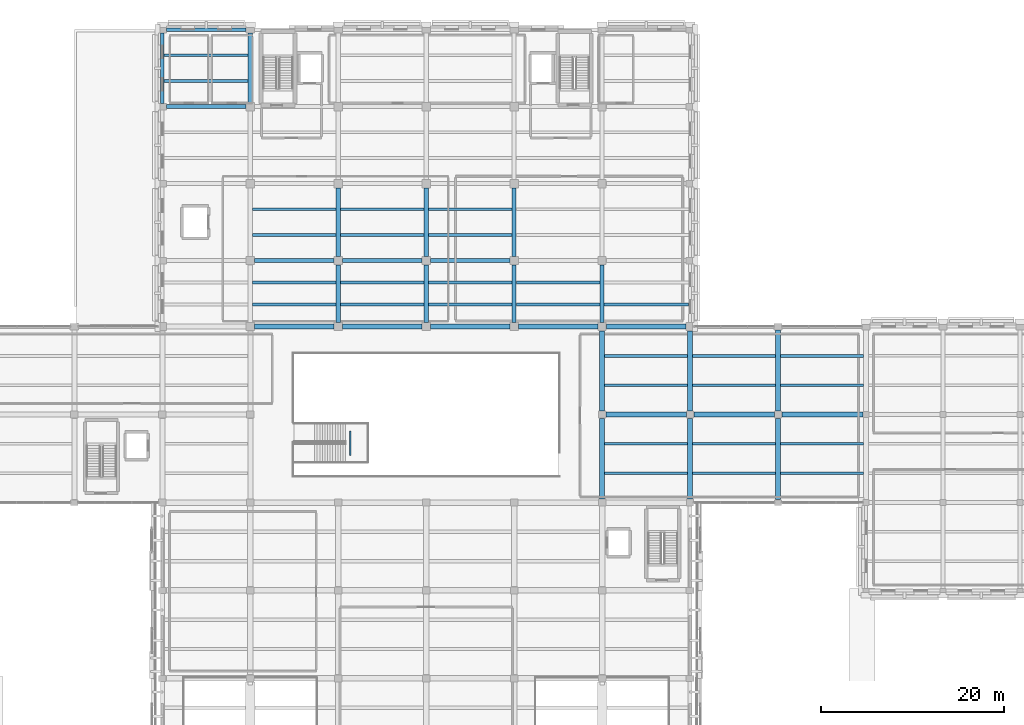
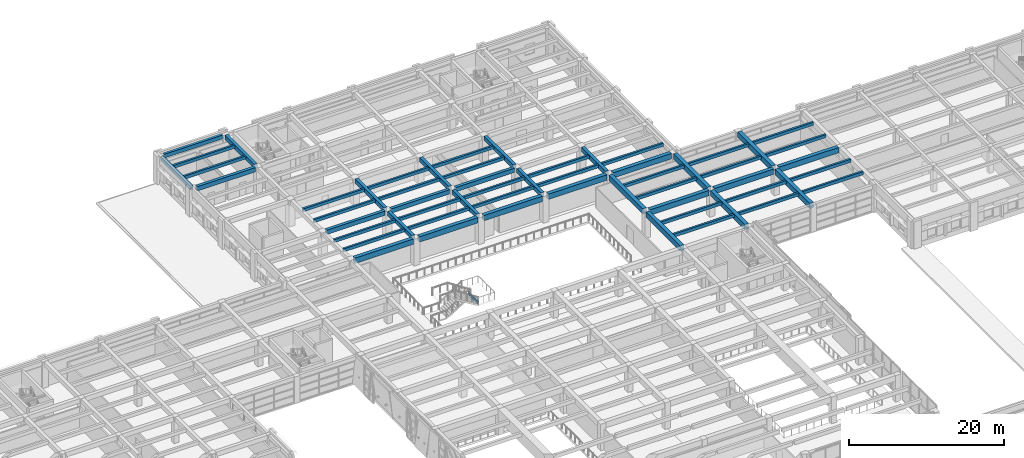
# One storey, part 17 of 49: 58 beams.
"""IFC4 building model written with IfcOpenShell, lengths in metres."""

from ifc_helpers import new_model, si_unit, direction, frame, origin, origin_2d, place, context, subcontext, project, spatial, rectangle, i_section, extrude, material, material_profile, profile_set, type_object, element, save


model = new_model("IFC4")

# Units and contexts
model_context = context("Model", 3, precision=1e-05, world=origin(), true_north=direction((0.0, 1.0)))
body_context = subcontext(model_context, "Body", "Model", "MODEL_VIEW")
ifc_project = project(units=[si_unit("LENGTHUNIT", "METRE"), si_unit("AREAUNIT", "SQUARE_METRE"), si_unit("VOLUMEUNIT", "CUBIC_METRE"), si_unit("PLANEANGLEUNIT", "RADIAN"), si_unit("MASSUNIT", "GRAM", prefix="KILO")], contexts=[model_context])

# Site, building, storey
site_placement = place(None, origin())
site = spatial("IfcSite", under=ifc_project, at=site_placement, CompositionType="ELEMENT")
building_placement = place(site_placement, origin())
building = spatial("IfcBuilding", under=site, at=building_placement, Name="Bempovik Park Faculty of Sciences", CompositionType="ELEMENT")
storey_placement = place(building_placement, frame((0.0, 0.0, 5.39990234375)))
storey = spatial("IfcBuildingStorey", under=building, at=storey_placement, Name="L01", CompositionType="ELEMENT", Elevation=5.39990234375)

# Beams
ifc_material_1 = material(Name="Concrete C35/45", Category="concrete")
ifc_material_profile_1 = material_profile(ifc_material_1, rectangle(XDim=0.3798828125, YDim=0.60009765625, at=origin_2d()), Name="RC 380x600")
ifc_profile_set_1 = profile_set([ifc_material_profile_1], Name="Concrete C35/45")
beam_type_1 = type_object("IfcBeamType", Name="B-032 RC 380x600", PredefinedType="SPANDREL", material=ifc_profile_set_1)
beam_1_placement = place(storey_placement, frame((60.4560546875, 119.39990234375, 3.880126953125), z_axis=(1.0, 0.0, 0.0), x_axis=(0.0, 1.0, 0.0)))
element("IfcBeam", 1, at=beam_1_placement, inside=storey, type_object=beam_type_1, Name="L01 Beam X (60.0-69.6, y=119.4)", PredefinedType="SPANDREL", context=body_context, shape_type="SweptSolid", body=[
    extrude(rectangle(XDim=0.3798828125, YDim=0.60009765625, at=origin_2d()), origin(), (0.0, 0.0, 1.0), 8.68798828125),
])
beam_2_placement = place(storey_placement, frame((60.0, 111.35595703125, 3.880126953125), z_axis=(0.0, 1.0, 0.0), x_axis=(-1.0, 0.0, 0.0)))
element("IfcBeam", 2, at=beam_2_placement, inside=storey, type_object=beam_type_1, Name="L01 Beam Y (x=60.0, 111.0-119.4)", PredefinedType="SPANDREL", context=body_context, shape_type="SweptSolid", body=[
    extrude(rectangle(XDim=0.3798828125, YDim=0.60009765625, at=origin_2d()), origin(), (0.0, 0.0, 1.0), 7.68798828125),
])
ifc_material_profile_2 = material_profile(ifc_material_1, rectangle(XDim=0.300048828125, YDim=0.47998046875, at=origin_2d()), Name="RC 300x480")
ifc_profile_set_2 = profile_set([ifc_material_profile_2], Name="Concrete C35/45")
beam_type_2 = type_object("IfcBeamType", Name="B-039 RC 300x480", PredefinedType="JOIST", material=ifc_profile_set_2)
for number, where, z_axis, x_axis, name in (
    (3, (60.196044921875, 113.800048828125, 3.940185546875), (1.0, 0.0, 0.0), (0.0, 1.0, 0.0), "L01 Secondary Joist (60.0-69.6, y=113.80)"),
    (4, (60.196044921875, 116.60009765625, 3.940185546875), (1.0, 0.0, 0.0), (0.0, 1.0, 0.0), "L01 Secondary Joist (60.0-69.6, y=116.60)"),
):
    element("IfcBeam", number, at=place(storey_placement, frame(where, z_axis=z_axis, x_axis=x_axis)), inside=storey, type_object=beam_type_2, Name=name, PredefinedType="JOIST", context=body_context, shape_type="SweptSolid", body=[
        extrude(rectangle(XDim=0.300048828125, YDim=0.47998046875, at=origin_2d()), origin(), (0.0, 0.0, 1.0), 9.1728515625),
    ])
for number, where, z_axis, x_axis, name in (
    (5, (69.8310546875, 89.39990234375, 3.940185546875), (1.0, 0.0, 0.0), (0.0, 1.0, 0.0), "L01 Secondary Joist (69.6-79.2, y=89.40)"),
    (6, (69.8310546875, 91.800048828125, 3.940185546875), (1.0, 0.0, 0.0), (0.0, 1.0, 0.0), "L01 Secondary Joist (69.6-79.2, y=91.80)"),
    (7, (69.8310546875, 97.0, 3.940185546875), (1.0, 0.0, 0.0), (0.0, 1.0, 0.0), "L01 Secondary Joist (69.6-79.2, y=97.00)"),
    (8, (69.8310546875, 99.800048828125, 3.940185546875), (1.0, 0.0, 0.0), (0.0, 1.0, 0.0), "L01 Secondary Joist (69.6-79.2, y=99.80)"),
):
    element("IfcBeam", number, at=place(storey_placement, frame(where, z_axis=z_axis, x_axis=x_axis)), inside=storey, type_object=beam_type_2, Name=name, PredefinedType="JOIST", context=body_context, shape_type="SweptSolid", body=[
        extrude(rectangle(XDim=0.300048828125, YDim=0.47998046875, at=origin_2d()), origin(), (0.0, 0.0, 1.0), 9.137939453125),
    ])
for number, where, z_axis, x_axis, name in (
    (9, (79.430908203125, 89.39990234375, 3.940185546875), (1.0, 0.0, 0.0), (0.0, 1.0, 0.0), "L01 Secondary Joist (79.2-88.8, y=89.40)"),
    (10, (79.430908203125, 91.800048828125, 3.940185546875), (1.0, 0.0, 0.0), (0.0, 1.0, 0.0), "L01 Secondary Joist (79.2-88.8, y=91.80)"),
    (11, (79.430908203125, 97.0, 3.940185546875), (1.0, 0.0, 0.0), (0.0, 1.0, 0.0), "L01 Secondary Joist (79.2-88.8, y=97.00)"),
    (12, (79.430908203125, 99.800048828125, 3.940185546875), (1.0, 0.0, 0.0), (0.0, 1.0, 0.0), "L01 Secondary Joist (79.2-88.8, y=99.80)"),
):
    element("IfcBeam", number, at=place(storey_placement, frame(where, z_axis=z_axis, x_axis=x_axis)), inside=storey, type_object=beam_type_2, Name=name, PredefinedType="JOIST", context=body_context, shape_type="SweptSolid", body=[
        extrude(rectangle(XDim=0.300048828125, YDim=0.47998046875, at=origin_2d()), origin(), (0.0, 0.0, 1.0), 9.13818359375),
    ])
for number, where, z_axis, x_axis, name in (
    (13, (89.031005859375, 89.39990234375, 3.940185546875), (1.0, 0.0, 0.0), (0.0, 1.0, 0.0), "L01 Secondary Joist (88.8-98.4, y=89.40)"),
    (14, (89.031005859375, 91.800048828125, 3.940185546875), (1.0, 0.0, 0.0), (0.0, 1.0, 0.0), "L01 Secondary Joist (88.8-98.4, y=91.80)"),
    (15, (89.031005859375, 97.0, 3.940185546875), (1.0, 0.0, 0.0), (0.0, 1.0, 0.0), "L01 Secondary Joist (88.8-98.4, y=97.00)"),
    (16, (89.031005859375, 99.800048828125, 3.940185546875), (1.0, 0.0, 0.0), (0.0, 1.0, 0.0), "L01 Secondary Joist (88.8-98.4, y=99.80)"),
    (17, (98.631103515625, 89.39990234375, 3.940185546875), (1.0, 0.0, 0.0), (0.0, 1.0, 0.0), "L01 Secondary Joist (98.4-108.0, y=89.40)"),
    (18, (98.631103515625, 91.800048828125, 3.940185546875), (1.0, 0.0, 0.0), (0.0, 1.0, 0.0), "L01 Secondary Joist (98.4-108.0, y=91.80)"),
):
    element("IfcBeam", number, at=place(storey_placement, frame(where, z_axis=z_axis, x_axis=x_axis)), inside=storey, type_object=beam_type_2, Name=name, PredefinedType="JOIST", context=body_context, shape_type="SweptSolid", body=[
        extrude(rectangle(XDim=0.300048828125, YDim=0.47998046875, at=origin_2d()), origin(), (0.0, 0.0, 1.0), 9.137939453125),
    ])
for number, where, z_axis, x_axis, name in (
    (19, (108.281005859375, 71.0, 3.940185546875), (1.0, 0.0, 0.0), (0.0, 1.0, 0.0), "L01 Secondary Joist (108.0-117.6, y=71.00)"),
    (20, (108.281005859375, 74.199951171875, 3.940185546875), (1.0, 0.0, 0.0), (0.0, 1.0, 0.0), "L01 Secondary Joist (108.0-117.6, y=74.20)"),
    (21, (108.281005859375, 80.60009765625, 3.940185546875), (1.0, 0.0, 0.0), (0.0, 1.0, 0.0), "L01 Secondary Joist (108.0-117.6, y=80.60)"),
    (22, (108.281005859375, 83.800048828125, 3.940185546875), (1.0, 0.0, 0.0), (0.0, 1.0, 0.0), "L01 Secondary Joist (108.0-117.6, y=83.80)"),
):
    element("IfcBeam", number, at=place(storey_placement, frame(where, z_axis=z_axis, x_axis=x_axis)), inside=storey, type_object=beam_type_2, Name=name, PredefinedType="JOIST", context=body_context, shape_type="SweptSolid", body=[
        extrude(rectangle(XDim=0.300048828125, YDim=0.47998046875, at=origin_2d()), origin(), (0.0, 0.0, 1.0), 9.0380859375),
    ])
beam_3_placement = place(storey_placement, frame((108.23095703125, 89.39990234375, 3.940185546875), z_axis=(1.0, 0.0, 0.0), x_axis=(0.0, 1.0, 0.0)))
element("IfcBeam", 23, at=beam_3_placement, inside=storey, type_object=beam_type_2, Name="L01 Secondary Joist (108.0-117.6, y=89.40)", PredefinedType="JOIST", context=body_context, shape_type="SweptSolid", body=[
    extrude(rectangle(XDim=0.300048828125, YDim=0.47998046875, at=origin_2d()), origin(), (0.0, 0.0, 1.0), 9.173095703125),
])
for number, where, z_axis, x_axis, name in (
    (24, (117.881103515625, 71.0, 3.940185546875), (1.0, 0.0, 0.0), (0.0, 1.0, 0.0), "L01 Secondary Joist (117.6-127.2, y=71.00)"),
    (25, (117.881103515625, 74.199951171875, 3.940185546875), (1.0, 0.0, 0.0), (0.0, 1.0, 0.0), "L01 Secondary Joist (117.6-127.2, y=74.20)"),
    (26, (117.881103515625, 80.60009765625, 3.940185546875), (1.0, 0.0, 0.0), (0.0, 1.0, 0.0), "L01 Secondary Joist (117.6-127.2, y=80.60)"),
    (27, (117.881103515625, 83.800048828125, 3.940185546875), (1.0, 0.0, 0.0), (0.0, 1.0, 0.0), "L01 Secondary Joist (117.6-127.2, y=83.80)"),
):
    element("IfcBeam", number, at=place(storey_placement, frame(where, z_axis=z_axis, x_axis=x_axis)), inside=storey, type_object=beam_type_2, Name=name, PredefinedType="JOIST", context=body_context, shape_type="SweptSolid", body=[
        extrude(rectangle(XDim=0.300048828125, YDim=0.47998046875, at=origin_2d()), origin(), (0.0, 0.0, 1.0), 9.037841796875),
    ])
for number, where, z_axis, x_axis, name in (
    (28, (127.48095703125, 71.0, 3.940185546875), (1.0, 0.0, 0.0), (0.0, 1.0, 0.0), "L01 Secondary Joist (127.2-136.8, y=71.00)"),
    (29, (127.48095703125, 74.199951171875, 3.940185546875), (1.0, 0.0, 0.0), (0.0, 1.0, 0.0), "L01 Secondary Joist (127.2-136.8, y=74.20)"),
    (30, (127.48095703125, 80.60009765625, 3.940185546875), (1.0, 0.0, 0.0), (0.0, 1.0, 0.0), "L01 Secondary Joist (127.2-136.8, y=80.60)"),
    (31, (127.48095703125, 83.800048828125, 3.940185546875), (1.0, 0.0, 0.0), (0.0, 1.0, 0.0), "L01 Secondary Joist (127.2-136.8, y=83.80)"),
):
    element("IfcBeam", number, at=place(storey_placement, frame(where, z_axis=z_axis, x_axis=x_axis)), inside=storey, type_object=beam_type_2, Name=name, PredefinedType="JOIST", context=body_context, shape_type="SweptSolid", body=[
        extrude(rectangle(XDim=0.300048828125, YDim=0.47998046875, at=origin_2d()), origin(), (0.0, 0.0, 1.0), 9.0380859375),
    ])
ifc_material_2 = material(Name="Steel S355", Category="steel")
ifc_material_profile_3 = material_profile(ifc_material_2, i_section(OverallWidth=0.18994140625, OverallDepth=0.449951171875, WebThickness=0.009521484375, FlangeThickness=0.0146484375, at=origin_2d()), Name="IPE 450")
ifc_profile_set_3 = profile_set([ifc_material_profile_3], Name="Steel S355")
beam_type_3 = type_object("IfcBeamType", Name="B-054 IPE 450", PredefinedType="BEAM", material=ifc_profile_set_3)
beam_4_placement = place(storey_placement, frame((80.5, 72.926025390625, 1.8251953125), z_axis=(0.0, 1.0, 0.0), x_axis=(-1.0, 0.0, 0.0)))
element("IfcBeam", 32, at=beam_4_placement, inside=storey, type_object=beam_type_3, Name="Atrium Feature Stair Landing Stringer", PredefinedType="BEAM", context=body_context, shape_type="SweptSolid", body=[
    extrude(i_section(OverallWidth=0.18994140625, OverallDepth=0.449951171875, WebThickness=0.009521484375, FlangeThickness=0.0146484375, at=origin_2d()), origin(), (0.0, 0.0, 1.0), 2.697998046875),
])
ifc_material_3 = material(Name="Concrete C40/50", Category="concrete")
ifc_material_profile_4 = material_profile(ifc_material_3, rectangle(XDim=0.550048828125, YDim=0.85009765625, at=origin_2d()), Name="RC 550x850")
ifc_profile_set_4 = profile_set([ifc_material_profile_4], Name="Concrete C40/50")
beam_type_4 = type_object("IfcBeamType", Name="B-080 RC 550x850", PredefinedType="BEAM", material=ifc_profile_set_4)
beam_5_placement = place(storey_placement, frame((108.406005859375, 77.39990234375, 3.755126953125), z_axis=(1.0, 0.0, 0.0), x_axis=(0.0, 1.0, 0.0)))
element("IfcBeam", 33, at=beam_5_placement, inside=storey, type_object=beam_type_4, Name="L01 Beam X (108.0-117.6, y=77.4)", PredefinedType="BEAM", context=body_context, shape_type="SweptSolid", body=[
    extrude(rectangle(XDim=0.550048828125, YDim=0.85009765625, at=origin_2d()), origin(), (0.0, 0.0, 1.0), 8.7880859375),
])
beam_6_placement = place(storey_placement, frame((118.006103515625, 77.39990234375, 3.755126953125), z_axis=(1.0, 0.0, 0.0), x_axis=(0.0, 1.0, 0.0)))
element("IfcBeam", 34, at=beam_6_placement, inside=storey, type_object=beam_type_4, Name="L01 Beam X (117.6-127.2, y=77.4)", PredefinedType="BEAM", context=body_context, shape_type="SweptSolid", body=[
    extrude(rectangle(XDim=0.550048828125, YDim=0.85009765625, at=origin_2d()), origin(), (0.0, 0.0, 1.0), 8.787841796875),
])
beam_7_placement = place(storey_placement, frame((127.60595703125, 77.39990234375, 3.755126953125), z_axis=(1.0, 0.0, 0.0), x_axis=(0.0, 1.0, 0.0)))
element("IfcBeam", 35, at=beam_7_placement, inside=storey, type_object=beam_type_4, Name="L01 Beam X (127.2-136.8, y=77.4)", PredefinedType="BEAM", context=body_context, shape_type="SweptSolid", body=[
    extrude(rectangle(XDim=0.550048828125, YDim=0.85009765625, at=origin_2d()), origin(), (0.0, 0.0, 1.0), 8.8779296875),
])
for number, where, z_axis, x_axis, name in (
    (36, (70.055908203125, 87.0, 3.755126953125), (1.0, 0.0, 0.0), (0.0, 1.0, 0.0), "L01 Beam X (69.6-79.2, y=87.0)"),
    (37, (79.656005859375, 87.0, 3.755126953125), (1.0, 0.0, 0.0), (0.0, 1.0, 0.0), "L01 Beam X (79.2-88.8, y=87.0)"),
    (38, (89.256103515625, 87.0, 3.755126953125), (1.0, 0.0, 0.0), (0.0, 1.0, 0.0), "L01 Beam X (88.8-98.4, y=87.0)"),
    (39, (98.85595703125, 87.0, 3.755126953125), (1.0, 0.0, 0.0), (0.0, 1.0, 0.0), "L01 Beam X (98.4-108.0, y=87.0)"),
    (40, (108.4560546875, 87.0, 3.755126953125), (1.0, 0.0, 0.0), (0.0, 1.0, 0.0), "L01 Beam X (108.0-117.6, y=87.0)"),
):
    element("IfcBeam", number, at=place(storey_placement, frame(where, z_axis=z_axis, x_axis=x_axis)), inside=storey, type_object=beam_type_4, Name=name, PredefinedType="BEAM", context=body_context, shape_type="SweptSolid", body=[
        extrude(rectangle(XDim=0.550048828125, YDim=0.85009765625, at=origin_2d()), origin(), (0.0, 0.0, 1.0), 8.68798828125),
    ])
beam_8_placement = place(storey_placement, frame((108.0, 68.2060546875, 3.755126953125), z_axis=(0.0, 1.0, 0.0), x_axis=(-1.0, 0.0, 0.0)))
element("IfcBeam", 41, at=beam_8_placement, inside=storey, type_object=beam_type_4, Name="L01 Beam Y (x=108.0, 67.8-77.4)", PredefinedType="BEAM", context=body_context, shape_type="SweptSolid", body=[
    extrude(rectangle(XDim=0.550048828125, YDim=0.85009765625, at=origin_2d()), origin(), (0.0, 0.0, 1.0), 8.787841796875),
])
beam_9_placement = place(storey_placement, frame((108.0, 77.805908203125, 3.755126953125), z_axis=(0.0, 1.0, 0.0), x_axis=(-1.0, 0.0, 0.0)))
element("IfcBeam", 42, at=beam_9_placement, inside=storey, type_object=beam_type_4, Name="L01 Beam Y (x=108.0, 77.4-87.0)", PredefinedType="BEAM", context=body_context, shape_type="SweptSolid", body=[
    extrude(rectangle(XDim=0.550048828125, YDim=0.85009765625, at=origin_2d()), origin(), (0.0, 0.0, 1.0), 8.738037109375),
])
beam_10_placement = place(storey_placement, frame((117.60009765625, 68.2060546875, 3.755126953125), z_axis=(0.0, 1.0, 0.0), x_axis=(-1.0, 0.0, 0.0)))
element("IfcBeam", 43, at=beam_10_placement, inside=storey, type_object=beam_type_4, Name="L01 Beam Y (x=117.6, 67.8-77.4)", PredefinedType="BEAM", context=body_context, shape_type="SweptSolid", body=[
    extrude(rectangle(XDim=0.550048828125, YDim=0.85009765625, at=origin_2d()), origin(), (0.0, 0.0, 1.0), 8.787841796875),
])
beam_11_placement = place(storey_placement, frame((117.60009765625, 77.805908203125, 3.755126953125), z_axis=(0.0, 1.0, 0.0), x_axis=(-1.0, 0.0, 0.0)))
element("IfcBeam", 44, at=beam_11_placement, inside=storey, type_object=beam_type_4, Name="L01 Beam Y (x=117.6, 77.4-87.0)", PredefinedType="BEAM", context=body_context, shape_type="SweptSolid", body=[
    extrude(rectangle(XDim=0.550048828125, YDim=0.85009765625, at=origin_2d()), origin(), (0.0, 0.0, 1.0), 8.738037109375),
])
beam_12_placement = place(storey_placement, frame((127.199951171875, 68.10595703125, 3.755126953125), z_axis=(0.0, 1.0, 0.0), x_axis=(-1.0, 0.0, 0.0)))
element("IfcBeam", 45, at=beam_12_placement, inside=storey, type_object=beam_type_4, Name="L01 Beam Y (x=127.2, 67.8-77.4)", PredefinedType="BEAM", context=body_context, shape_type="SweptSolid", body=[
    extrude(rectangle(XDim=0.550048828125, YDim=0.85009765625, at=origin_2d()), origin(), (0.0, 0.0, 1.0), 8.887939453125),
])
beam_13_placement = place(storey_placement, frame((127.199951171875, 77.805908203125, 3.755126953125), z_axis=(0.0, 1.0, 0.0), x_axis=(-1.0, 0.0, 0.0)))
element("IfcBeam", 46, at=beam_13_placement, inside=storey, type_object=beam_type_4, Name="L01 Beam Y (x=127.2, 77.4-87.0)", PredefinedType="BEAM", context=body_context, shape_type="SweptSolid", body=[
    extrude(rectangle(XDim=0.550048828125, YDim=0.85009765625, at=origin_2d()), origin(), (0.0, 0.0, 1.0), 8.838134765625),
])
ifc_material_profile_5 = material_profile(ifc_material_1, rectangle(XDim=0.449951171875, YDim=0.679931640625, at=origin_2d()), Name="RC 450x680")
ifc_profile_set_5 = profile_set([ifc_material_profile_5], Name="Concrete C35/45")
beam_type_5 = type_object("IfcBeamType", Name="B-113 RC 450x680", PredefinedType="BEAM", material=ifc_profile_set_5)
for number, where, z_axis, x_axis, name in (
    (47, (70.055908203125, 94.199951171875, 3.840087890625), (1.0, 0.0, 0.0), (0.0, 1.0, 0.0), "L01 Beam X (69.6-79.2, y=94.2)"),
    (48, (79.656005859375, 94.199951171875, 3.840087890625), (1.0, 0.0, 0.0), (0.0, 1.0, 0.0), "L01 Beam X (79.2-88.8, y=94.2)"),
    (49, (89.256103515625, 94.199951171875, 3.840087890625), (1.0, 0.0, 0.0), (0.0, 1.0, 0.0), "L01 Beam X (88.8-98.4, y=94.2)"),
    (50, (60.4560546875, 111.0, 3.840087890625), (1.0, 0.0, 0.0), (0.0, 1.0, 0.0), "L01 Beam X (60.0-69.6, y=111.0)"),
):
    element("IfcBeam", number, at=place(storey_placement, frame(where, z_axis=z_axis, x_axis=x_axis)), inside=storey, type_object=beam_type_5, Name=name, PredefinedType="BEAM", context=body_context, shape_type="SweptSolid", body=[
        extrude(rectangle(XDim=0.449951171875, YDim=0.679931640625, at=origin_2d()), origin(), (0.0, 0.0, 1.0), 8.68798828125),
    ])
beam_14_placement = place(storey_placement, frame((69.60009765625, 111.4560546875, 3.840087890625), z_axis=(0.0, 1.0, 0.0), x_axis=(-1.0, 0.0, 0.0)))
element("IfcBeam", 51, at=beam_14_placement, inside=storey, type_object=beam_type_5, Name="L01 Beam Y (x=69.6, 111.0-119.4)", PredefinedType="BEAM", context=body_context, shape_type="SweptSolid", body=[
    extrude(rectangle(XDim=0.449951171875, YDim=0.679931640625, at=origin_2d()), origin(), (0.0, 0.0, 1.0), 7.587890625),
])
beam_15_placement = place(storey_placement, frame((79.199951171875, 87.4560546875, 3.840087890625), z_axis=(0.0, 1.0, 0.0), x_axis=(-1.0, 0.0, 0.0)))
element("IfcBeam", 52, at=beam_15_placement, inside=storey, type_object=beam_type_5, Name="L01 Beam Y (x=79.2, 87.0-94.2)", PredefinedType="BEAM", context=body_context, shape_type="SweptSolid", body=[
    extrude(rectangle(XDim=0.449951171875, YDim=0.679931640625, at=origin_2d()), origin(), (0.0, 0.0, 1.0), 6.287841796875),
])
beam_16_placement = place(storey_placement, frame((79.199951171875, 94.656005859375, 3.840087890625), z_axis=(0.0, 1.0, 0.0), x_axis=(-1.0, 0.0, 0.0)))
element("IfcBeam", 53, at=beam_16_placement, inside=storey, type_object=beam_type_5, Name="L01 Beam Y (x=79.2, 94.2-102.6)", PredefinedType="BEAM", context=body_context, shape_type="SweptSolid", body=[
    extrude(rectangle(XDim=0.449951171875, YDim=0.679931640625, at=origin_2d()), origin(), (0.0, 0.0, 1.0), 7.488037109375),
])
beam_17_placement = place(storey_placement, frame((88.800048828125, 87.4560546875, 3.840087890625), z_axis=(0.0, 1.0, 0.0), x_axis=(-1.0, 0.0, 0.0)))
element("IfcBeam", 54, at=beam_17_placement, inside=storey, type_object=beam_type_5, Name="L01 Beam Y (x=88.8, 87.0-94.2)", PredefinedType="BEAM", context=body_context, shape_type="SweptSolid", body=[
    extrude(rectangle(XDim=0.449951171875, YDim=0.679931640625, at=origin_2d()), origin(), (0.0, 0.0, 1.0), 6.287841796875),
])
beam_18_placement = place(storey_placement, frame((88.800048828125, 94.656005859375, 3.840087890625), z_axis=(0.0, 1.0, 0.0), x_axis=(-1.0, 0.0, 0.0)))
element("IfcBeam", 55, at=beam_18_placement, inside=storey, type_object=beam_type_5, Name="L01 Beam Y (x=88.8, 94.2-102.6)", PredefinedType="BEAM", context=body_context, shape_type="SweptSolid", body=[
    extrude(rectangle(XDim=0.449951171875, YDim=0.679931640625, at=origin_2d()), origin(), (0.0, 0.0, 1.0), 7.488037109375),
])
beam_19_placement = place(storey_placement, frame((98.39990234375, 87.4560546875, 3.840087890625), z_axis=(0.0, 1.0, 0.0), x_axis=(-1.0, 0.0, 0.0)))
element("IfcBeam", 56, at=beam_19_placement, inside=storey, type_object=beam_type_5, Name="L01 Beam Y (x=98.4, 87.0-94.2)", PredefinedType="BEAM", context=body_context, shape_type="SweptSolid", body=[
    extrude(rectangle(XDim=0.449951171875, YDim=0.679931640625, at=origin_2d()), origin(), (0.0, 0.0, 1.0), 6.287841796875),
])
beam_20_placement = place(storey_placement, frame((98.39990234375, 94.656005859375, 3.840087890625), z_axis=(0.0, 1.0, 0.0), x_axis=(-1.0, 0.0, 0.0)))
element("IfcBeam", 57, at=beam_20_placement, inside=storey, type_object=beam_type_5, Name="L01 Beam Y (x=98.4, 94.2-102.6)", PredefinedType="BEAM", context=body_context, shape_type="SweptSolid", body=[
    extrude(rectangle(XDim=0.449951171875, YDim=0.679931640625, at=origin_2d()), origin(), (0.0, 0.0, 1.0), 7.488037109375),
])
beam_21_placement = place(storey_placement, frame((108.0, 87.4560546875, 3.840087890625), z_axis=(0.0, 1.0, 0.0), x_axis=(-1.0, 0.0, 0.0)))
element("IfcBeam", 58, at=beam_21_placement, inside=storey, type_object=beam_type_5, Name="L01 Beam Y (x=108.0, 87.0-94.2)", PredefinedType="BEAM", context=body_context, shape_type="SweptSolid", body=[
    extrude(rectangle(XDim=0.449951171875, YDim=0.679931640625, at=origin_2d()), origin(), (0.0, 0.0, 1.0), 6.287841796875),
])

save(model, "model.ifc")
